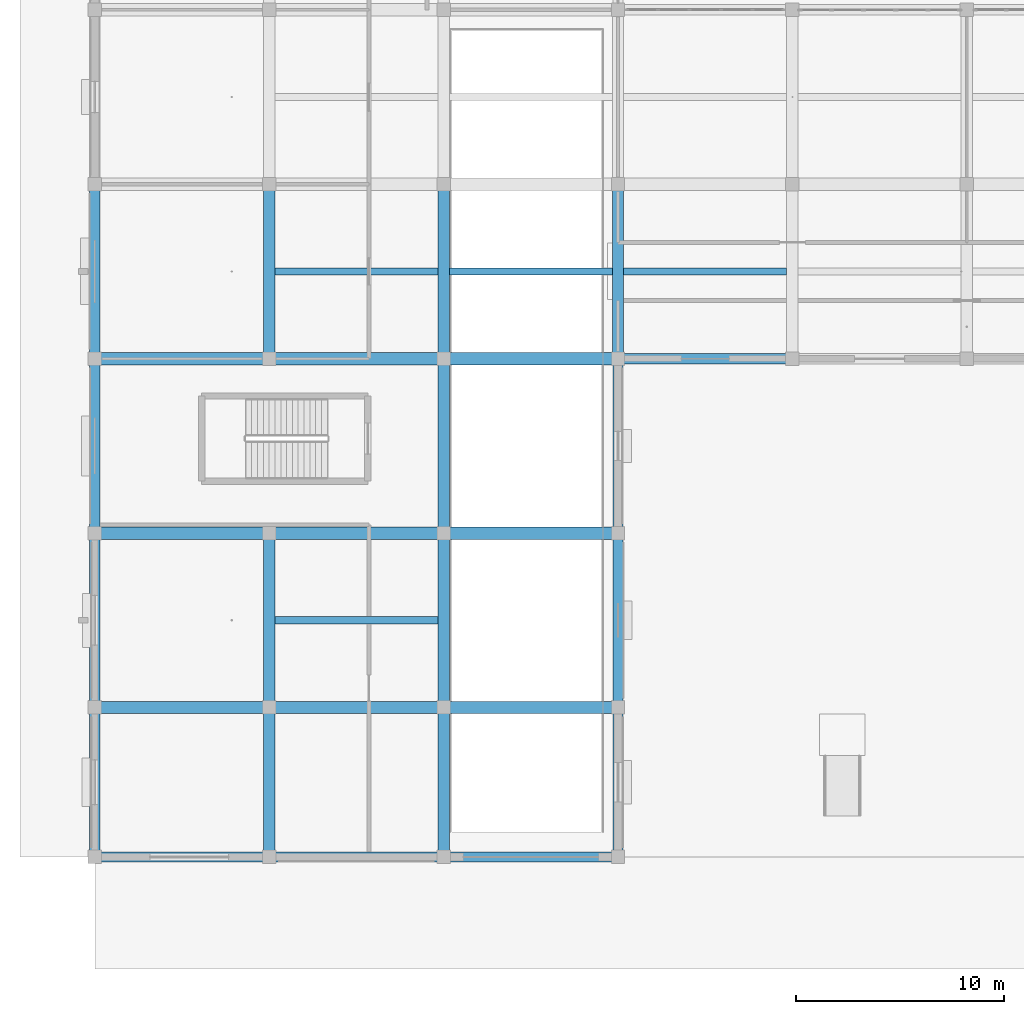
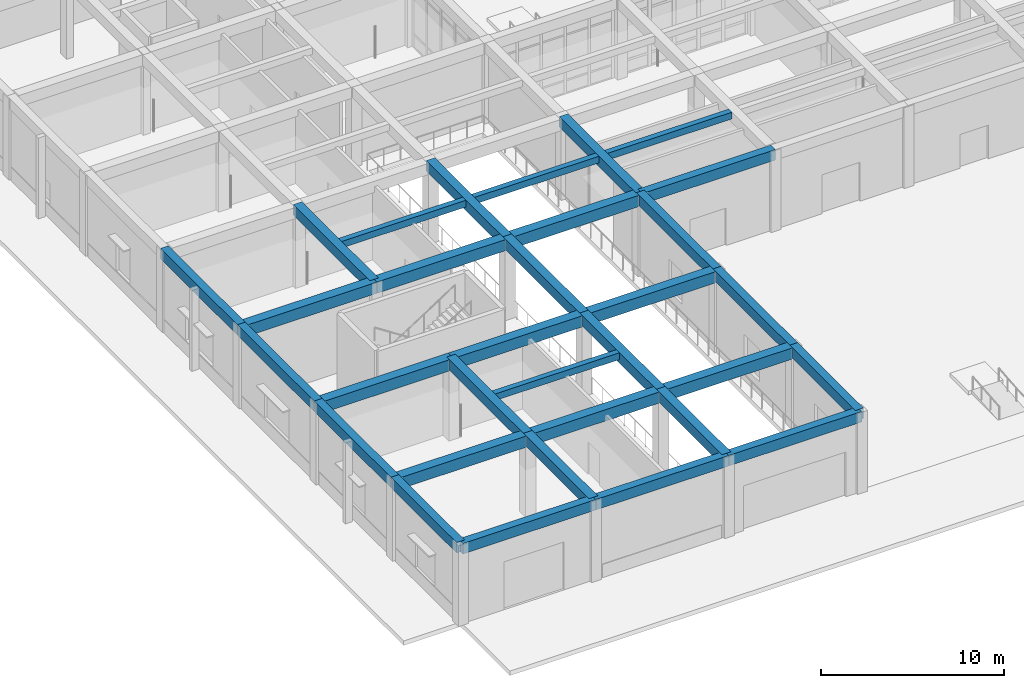
# One storey, part 9 of 167: 32 beams.
"""IFC4 building model written with IfcOpenShell, lengths in metres."""

from ifc_helpers import new_model, si_unit, direction, frame, origin, origin_2d, place, context, subcontext, project, spatial, rectangle, extrude, material, material_profile, profile_set, type_object, element, save


model = new_model("IFC4")

# Units and contexts
model_context = context("Model", 3, precision=1e-05, world=origin(), true_north=direction((0.0, 1.0)))
body_context = subcontext(model_context, "Body", "Model", "MODEL_VIEW")
ifc_project = project(units=[si_unit("LENGTHUNIT", "METRE"), si_unit("AREAUNIT", "SQUARE_METRE"), si_unit("VOLUMEUNIT", "CUBIC_METRE"), si_unit("PLANEANGLEUNIT", "RADIAN"), si_unit("MASSUNIT", "GRAM", prefix="KILO")], contexts=[model_context])

# Site, building, storey
site_placement = place(None, origin())
site = spatial("IfcSite", under=ifc_project, at=site_placement, CompositionType="ELEMENT")
building_placement = place(site_placement, origin())
building = spatial("IfcBuilding", under=site, at=building_placement, Name="Varncliffe General Hospital", CompositionType="ELEMENT")
storey_placement = place(building_placement, origin())
storey = spatial("IfcBuildingStorey", under=building, at=storey_placement, Name="L00", CompositionType="ELEMENT", Elevation=0.0)

# Beams
ifc_material = material(Name="Concrete C35/45 (CSA A23.1 35 MPa)", Category="concrete")
ifc_material_profile_1 = material_profile(ifc_material, rectangle(XDim=0.60009765625, YDim=0.75, at=origin_2d()), Name="RC 600x750")
ifc_profile_set_1 = profile_set([ifc_material_profile_1], Name="Concrete C35/45 (CSA A23.1 35 MPa)")
beam_type_1 = type_object("IfcBeamType", Name="Beam B23 (Int RC 600x750)", PredefinedType="BEAM", material=ifc_profile_set_1)
beam_1_placement = place(storey_placement, frame((0.0, 7.199951171875, 5.02490234375), z_axis=(1.0, 0.0, 0.0), x_axis=(0.0, 1.0, 0.0)))
element("IfcBeam", 1, at=beam_1_placement, inside=storey, type_object=beam_type_1, Name="L00 Primary Beam B23-7", PredefinedType="BEAM", context=body_context, shape_type="SweptSolid", body=[
    extrude(rectangle(XDim=0.60009765625, YDim=0.75, at=origin_2d()), origin(), (0.0, 0.0, 1.0), 8.39990234375),
])
beam_2_placement = place(storey_placement, frame((8.39990234375, 7.199951171875, 5.02490234375), z_axis=(1.0, 0.0, 0.0), x_axis=(0.0, 1.0, 0.0)))
element("IfcBeam", 2, at=beam_2_placement, inside=storey, type_object=beam_type_1, Name="L00 Primary Beam B23-8", PredefinedType="BEAM", context=body_context, shape_type="SweptSolid", body=[
    extrude(rectangle(XDim=0.60009765625, YDim=0.75, at=origin_2d()), origin(), (0.0, 0.0, 1.0), 8.400146484375),
])
for number, where, z_axis, x_axis, name in (
    (3, (16.800048828125, 7.199951171875, 5.02490234375), (1.0, 0.0, 0.0), (0.0, 1.0, 0.0), "L00 Primary Beam B23-9"),
    (4, (0.0, 15.60009765625, 5.02490234375), (1.0, 0.0, 0.0), (0.0, 1.0, 0.0), "L00 Primary Beam B23-20"),
):
    element("IfcBeam", number, at=place(storey_placement, frame(where, z_axis=z_axis, x_axis=x_axis)), inside=storey, type_object=beam_type_1, Name=name, PredefinedType="BEAM", context=body_context, shape_type="SweptSolid", body=[
        extrude(rectangle(XDim=0.60009765625, YDim=0.75, at=origin_2d()), origin(), (0.0, 0.0, 1.0), 8.39990234375),
    ])
beam_3_placement = place(storey_placement, frame((8.39990234375, 15.60009765625, 5.02490234375), z_axis=(1.0, 0.0, 0.0), x_axis=(0.0, 1.0, 0.0)))
element("IfcBeam", 5, at=beam_3_placement, inside=storey, type_object=beam_type_1, Name="L00 Primary Beam B23-21", PredefinedType="BEAM", context=body_context, shape_type="SweptSolid", body=[
    extrude(rectangle(XDim=0.60009765625, YDim=0.75, at=origin_2d()), origin(), (0.0, 0.0, 1.0), 8.400146484375),
])
for number, where, z_axis, x_axis, name in (
    (6, (16.800048828125, 15.60009765625, 5.02490234375), (1.0, 0.0, 0.0), (0.0, 1.0, 0.0), "L00 Primary Beam B23-22"),
    (7, (0.0, 24.0, 5.02490234375), (1.0, 0.0, 0.0), (0.0, 1.0, 0.0), "L00 Primary Beam B23-26"),
):
    element("IfcBeam", number, at=place(storey_placement, frame(where, z_axis=z_axis, x_axis=x_axis)), inside=storey, type_object=beam_type_1, Name=name, PredefinedType="BEAM", context=body_context, shape_type="SweptSolid", body=[
        extrude(rectangle(XDim=0.60009765625, YDim=0.75, at=origin_2d()), origin(), (0.0, 0.0, 1.0), 8.39990234375),
    ])
beam_4_placement = place(storey_placement, frame((8.39990234375, 24.0, 5.02490234375), z_axis=(1.0, 0.0, 0.0), x_axis=(0.0, 1.0, 0.0)))
element("IfcBeam", 8, at=beam_4_placement, inside=storey, type_object=beam_type_1, Name="L00 Primary Beam B23-27", PredefinedType="BEAM", context=body_context, shape_type="SweptSolid", body=[
    extrude(rectangle(XDim=0.60009765625, YDim=0.75, at=origin_2d()), origin(), (0.0, 0.0, 1.0), 8.400146484375),
])
beam_5_placement = place(storey_placement, frame((16.800048828125, 24.0, 5.02490234375), z_axis=(1.0, 0.0, 0.0), x_axis=(0.0, 1.0, 0.0)))
element("IfcBeam", 9, at=beam_5_placement, inside=storey, type_object=beam_type_1, Name="L00 Primary Beam B23-28", PredefinedType="BEAM", context=body_context, shape_type="SweptSolid", body=[
    extrude(rectangle(XDim=0.60009765625, YDim=0.75, at=origin_2d()), origin(), (0.0, 0.0, 1.0), 8.39990234375),
])
ifc_material_profile_2 = material_profile(ifc_material, rectangle(XDim=0.550048828125, YDim=0.699951171875, at=origin_2d()), Name="RC 550x700")
ifc_profile_set_2 = profile_set([ifc_material_profile_2], Name="Concrete C35/45 (CSA A23.1 35 MPa)")
beam_type_2 = type_object("IfcBeamType", Name="Beam B35 (Int RC 550x700)", PredefinedType="BEAM", material=ifc_profile_set_2)
beam_6_placement = place(storey_placement, frame((8.39990234375, 0.0, 5.050048828125), z_axis=(0.0, 1.0, 0.0), x_axis=(-1.0, 0.0, 0.0)))
element("IfcBeam", 10, at=beam_6_placement, inside=storey, type_object=beam_type_2, Name="L00 Primary Beam B35-276", PredefinedType="BEAM", context=body_context, shape_type="SweptSolid", body=[
    extrude(rectangle(XDim=0.550048828125, YDim=0.699951171875, at=origin_2d()), origin(), (0.0, 0.0, 1.0), 7.199951171875),
])
beam_7_placement = place(storey_placement, frame((8.39990234375, 7.199951171875, 5.050048828125), z_axis=(0.0, 1.0, 0.0), x_axis=(-1.0, 0.0, 0.0)))
element("IfcBeam", 11, at=beam_7_placement, inside=storey, type_object=beam_type_2, Name="L00 Primary Beam B35-277", PredefinedType="BEAM", context=body_context, shape_type="SweptSolid", body=[
    extrude(rectangle(XDim=0.550048828125, YDim=0.699951171875, at=origin_2d()), origin(), (0.0, 0.0, 1.0), 8.400146484375),
])
beam_8_placement = place(storey_placement, frame((8.39990234375, 24.0, 5.050048828125), z_axis=(0.0, 1.0, 0.0), x_axis=(-1.0, 0.0, 0.0)))
element("IfcBeam", 12, at=beam_8_placement, inside=storey, type_object=beam_type_2, Name="L00 Primary Beam B35-278", PredefinedType="BEAM", context=body_context, shape_type="SweptSolid", body=[
    extrude(rectangle(XDim=0.550048828125, YDim=0.699951171875, at=origin_2d()), origin(), (0.0, 0.0, 1.0), 8.39990234375),
])
beam_9_placement = place(storey_placement, frame((16.800048828125, 0.0, 5.050048828125), z_axis=(0.0, 1.0, 0.0), x_axis=(-1.0, 0.0, 0.0)))
element("IfcBeam", 13, at=beam_9_placement, inside=storey, type_object=beam_type_2, Name="L00 Primary Beam B35-291", PredefinedType="BEAM", context=body_context, shape_type="SweptSolid", body=[
    extrude(rectangle(XDim=0.550048828125, YDim=0.699951171875, at=origin_2d()), origin(), (0.0, 0.0, 1.0), 7.199951171875),
])
beam_10_placement = place(storey_placement, frame((16.800048828125, 7.199951171875, 5.050048828125), z_axis=(0.0, 1.0, 0.0), x_axis=(-1.0, 0.0, 0.0)))
element("IfcBeam", 14, at=beam_10_placement, inside=storey, type_object=beam_type_2, Name="L00 Primary Beam B35-292", PredefinedType="BEAM", context=body_context, shape_type="SweptSolid", body=[
    extrude(rectangle(XDim=0.550048828125, YDim=0.699951171875, at=origin_2d()), origin(), (0.0, 0.0, 1.0), 8.400146484375),
])
for number, where, z_axis, x_axis, name in (
    (15, (16.800048828125, 15.60009765625, 5.050048828125), (0.0, 1.0, 0.0), (-1.0, 0.0, 0.0), "L00 Primary Beam B35-293"),
    (16, (16.800048828125, 24.0, 5.050048828125), (0.0, 1.0, 0.0), (-1.0, 0.0, 0.0), "L00 Primary Beam B35-294"),
    (17, (25.199951171875, 24.0, 5.050048828125), (0.0, 1.0, 0.0), (-1.0, 0.0, 0.0), "L00 Primary Beam B35-311"),
):
    element("IfcBeam", number, at=place(storey_placement, frame(where, z_axis=z_axis, x_axis=x_axis)), inside=storey, type_object=beam_type_2, Name=name, PredefinedType="BEAM", context=body_context, shape_type="SweptSolid", body=[
        extrude(rectangle(XDim=0.550048828125, YDim=0.699951171875, at=origin_2d()), origin(), (0.0, 0.0, 1.0), 8.39990234375),
    ])
ifc_material_profile_3 = material_profile(ifc_material, rectangle(XDim=0.35009765625, YDim=0.449951171875, at=origin_2d()), Name="RC 350x450")
ifc_profile_set_3 = profile_set([ifc_material_profile_3], Name="Concrete C35/45 (CSA A23.1 35 MPa)")
beam_type_3 = type_object("IfcBeamType", Name="Joist J55 (Int RC 350x450)", PredefinedType="JOIST", material=ifc_profile_set_3)
for number, where, z_axis, x_axis, name in (
    (18, (8.673095703125, 11.39990234375, 5.175048828125), (1.0, 0.0, 0.0), (0.0, 1.0, 0.0), "L00 Secondary Floor Rib J55-1"),
    (19, (8.673095703125, 28.199951171875, 5.175048828125), (1.0, 0.0, 0.0), (0.0, 1.0, 0.0), "L00 Secondary Floor Rib J55-2"),
    (20, (17.072998046875, 28.199951171875, 5.175048828125), (1.0, 0.0, 0.0), (0.0, 1.0, 0.0), "L00 Secondary Floor Rib J55-10"),
    (21, (25.472900390625, 28.199951171875, 5.175048828125), (1.0, 0.0, 0.0), (0.0, 1.0, 0.0), "L00 Secondary Floor Rib J55-14"),
):
    element("IfcBeam", number, at=place(storey_placement, frame(where, z_axis=z_axis, x_axis=x_axis)), inside=storey, type_object=beam_type_3, Name=name, PredefinedType="JOIST", context=body_context, shape_type="SweptSolid", body=[
        extrude(rectangle(XDim=0.35009765625, YDim=0.449951171875, at=origin_2d()), origin(), (0.0, 0.0, 1.0), 7.85400390625),
    ])
ifc_material_profile_4 = material_profile(ifc_material, rectangle(XDim=0.5, YDim=0.699951171875, at=origin_2d()), Name="RC 500x700")
ifc_profile_set_4 = profile_set([ifc_material_profile_4], Name="Concrete C35/45 (CSA A23.1 35 MPa)")
beam_type_4 = type_object("IfcBeamType", Name="Spandrel SP19 (Ext RC 500x700)", PredefinedType="SPANDREL", material=ifc_profile_set_4)
beam_11_placement = place(storey_placement, frame((0.0, 0.0, 5.050048828125), z_axis=(1.0, 0.0, 0.0), x_axis=(0.0, 1.0, 0.0)))
element("IfcBeam", 22, at=beam_11_placement, inside=storey, type_object=beam_type_4, Name="L00 Spandrel Beam SP19-1", PredefinedType="SPANDREL", context=body_context, shape_type="SweptSolid", body=[
    extrude(rectangle(XDim=0.5, YDim=0.699951171875, at=origin_2d()), origin(), (0.0, 0.0, 1.0), 8.39990234375),
])
beam_12_placement = place(storey_placement, frame((8.39990234375, 0.0, 5.050048828125), z_axis=(1.0, 0.0, 0.0), x_axis=(0.0, 1.0, 0.0)))
element("IfcBeam", 23, at=beam_12_placement, inside=storey, type_object=beam_type_4, Name="L00 Spandrel Beam SP19-2", PredefinedType="SPANDREL", context=body_context, shape_type="SweptSolid", body=[
    extrude(rectangle(XDim=0.5, YDim=0.699951171875, at=origin_2d()), origin(), (0.0, 0.0, 1.0), 8.400146484375),
])
beam_13_placement = place(storey_placement, frame((16.800048828125, 0.0, 5.050048828125), z_axis=(1.0, 0.0, 0.0), x_axis=(0.0, 1.0, 0.0)))
element("IfcBeam", 24, at=beam_13_placement, inside=storey, type_object=beam_type_4, Name="L00 Spandrel Beam SP19-3", PredefinedType="SPANDREL", context=body_context, shape_type="SweptSolid", body=[
    extrude(rectangle(XDim=0.5, YDim=0.699951171875, at=origin_2d()), origin(), (0.0, 0.0, 1.0), 8.39990234375),
])
beam_14_placement = place(storey_placement, frame((25.199951171875, 24.0, 5.050048828125), z_axis=(1.0, 0.0, 0.0), x_axis=(0.0, 1.0, 0.0)))
element("IfcBeam", 25, at=beam_14_placement, inside=storey, type_object=beam_type_4, Name="L00 Spandrel Beam SP19-29", PredefinedType="SPANDREL", context=body_context, shape_type="SweptSolid", body=[
    extrude(rectangle(XDim=0.5, YDim=0.699951171875, at=origin_2d()), origin(), (0.0, 0.0, 1.0), 8.400146484375),
])
beam_15_placement = place(storey_placement, frame((0.0, 0.0, 5.050048828125), z_axis=(0.0, 1.0, 0.0), x_axis=(-1.0, 0.0, 0.0)))
element("IfcBeam", 26, at=beam_15_placement, inside=storey, type_object=beam_type_4, Name="L00 Spandrel Beam SP19-259", PredefinedType="SPANDREL", context=body_context, shape_type="SweptSolid", body=[
    extrude(rectangle(XDim=0.5, YDim=0.699951171875, at=origin_2d()), origin(), (0.0, 0.0, 1.0), 7.199951171875),
])
beam_16_placement = place(storey_placement, frame((0.0, 7.199951171875, 5.050048828125), z_axis=(0.0, 1.0, 0.0), x_axis=(-1.0, 0.0, 0.0)))
element("IfcBeam", 27, at=beam_16_placement, inside=storey, type_object=beam_type_4, Name="L00 Spandrel Beam SP19-260", PredefinedType="SPANDREL", context=body_context, shape_type="SweptSolid", body=[
    extrude(rectangle(XDim=0.5, YDim=0.699951171875, at=origin_2d()), origin(), (0.0, 0.0, 1.0), 8.400146484375),
])
for number, where, z_axis, x_axis, name in (
    (28, (0.0, 15.60009765625, 5.050048828125), (0.0, 1.0, 0.0), (-1.0, 0.0, 0.0), "L00 Spandrel Beam SP19-261"),
    (29, (0.0, 24.0, 5.050048828125), (0.0, 1.0, 0.0), (-1.0, 0.0, 0.0), "L00 Spandrel Beam SP19-262"),
):
    element("IfcBeam", number, at=place(storey_placement, frame(where, z_axis=z_axis, x_axis=x_axis)), inside=storey, type_object=beam_type_4, Name=name, PredefinedType="SPANDREL", context=body_context, shape_type="SweptSolid", body=[
        extrude(rectangle(XDim=0.5, YDim=0.699951171875, at=origin_2d()), origin(), (0.0, 0.0, 1.0), 8.39990234375),
    ])
beam_17_placement = place(storey_placement, frame((25.199951171875, 0.0, 5.050048828125), z_axis=(0.0, 1.0, 0.0), x_axis=(-1.0, 0.0, 0.0)))
element("IfcBeam", 30, at=beam_17_placement, inside=storey, type_object=beam_type_4, Name="L00 Spandrel Beam SP19-308", PredefinedType="SPANDREL", context=body_context, shape_type="SweptSolid", body=[
    extrude(rectangle(XDim=0.5, YDim=0.699951171875, at=origin_2d()), origin(), (0.0, 0.0, 1.0), 7.199951171875),
])
beam_18_placement = place(storey_placement, frame((25.199951171875, 7.199951171875, 5.050048828125), z_axis=(0.0, 1.0, 0.0), x_axis=(-1.0, 0.0, 0.0)))
element("IfcBeam", 31, at=beam_18_placement, inside=storey, type_object=beam_type_4, Name="L00 Spandrel Beam SP19-309", PredefinedType="SPANDREL", context=body_context, shape_type="SweptSolid", body=[
    extrude(rectangle(XDim=0.5, YDim=0.699951171875, at=origin_2d()), origin(), (0.0, 0.0, 1.0), 8.400146484375),
])
beam_19_placement = place(storey_placement, frame((25.199951171875, 15.60009765625, 5.050048828125), z_axis=(0.0, 1.0, 0.0), x_axis=(-1.0, 0.0, 0.0)))
element("IfcBeam", 32, at=beam_19_placement, inside=storey, type_object=beam_type_4, Name="L00 Spandrel Beam SP19-310", PredefinedType="SPANDREL", context=body_context, shape_type="SweptSolid", body=[
    extrude(rectangle(XDim=0.5, YDim=0.699951171875, at=origin_2d()), origin(), (0.0, 0.0, 1.0), 8.39990234375),
])

save(model, "model.ifc")
